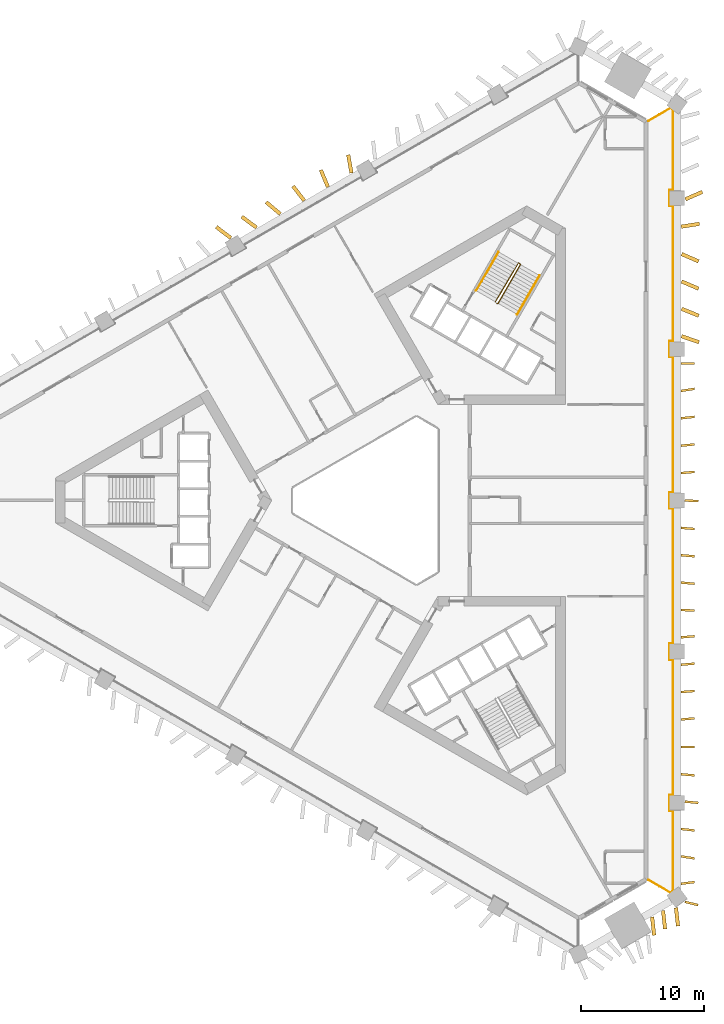
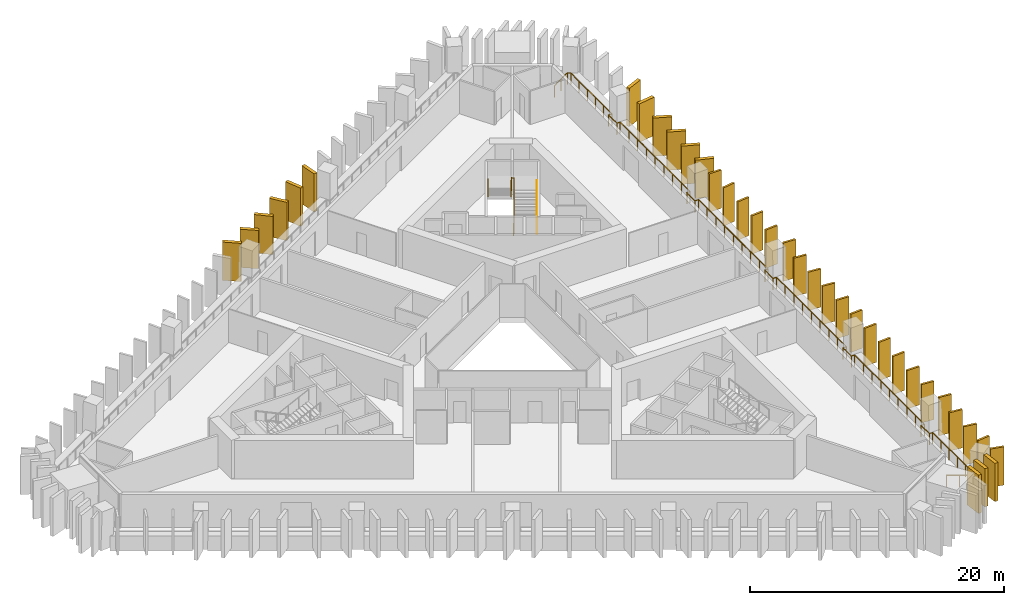
# One storey, part 9 of 10: 36 shading devices, 4 railings.
"""IFC4 building model written with IfcOpenShell, lengths in metres."""

import ifcopenshell
import ifcopenshell.guid

model = None  # the IFC model being written
_history = None  # IfcOwnerHistory: only IFC2X3 demands one
_inside = {}  # id of a spatial element -> (the spatial element, [elements in it])
_under = {}  # id of a project, library or spatial element -> (it, [spatial elements below it])
_declared = {}  # id of a project -> (the project, [libraries it declares])
_typed = {}  # id of a type object -> (the type object, [elements of that type])
_made_of = {}  # id of a material, layer set ... -> (it, [elements and type objects made of it])


def new_model(schema):
    """Start an empty IFC model of exactly this schema.

    Asked for "IFC4X3", IfcOpenShell would pick the latest addendum, in which some entities
    have other attributes; the version numbers below select the first issue.
    IFC2X3 requires an IfcOwnerHistory on every rooted entity: one is made here for all.
    """
    global model, _history
    if schema == "IFC4X3":
        model = ifcopenshell.file(schema_version=(4, 3, 0, 0))
    else:
        model = ifcopenshell.file(schema=schema)
    _inside.clear()
    _under.clear()
    _declared.clear()
    _typed.clear()
    _made_of.clear()
    _history = None
    if model.schema == "IFC2X3":
        org = make("IfcOrganization", Name="unknown")
        user = make(
            "IfcPersonAndOrganization",
            ThePerson=make("IfcPerson", FamilyName="unknown"),
            TheOrganization=org,
        )
        app = make(
            "IfcApplication",
            ApplicationDeveloper=org,
            Version="unknown",
            ApplicationFullName="unknown",
            ApplicationIdentifier="unknown",
        )
        _history = make(
            "IfcOwnerHistory",
            OwningUser=user,
            OwningApplication=app,
            ChangeAction="ADDED",
            CreationDate=0,
        )
    return model


def make(cls, **values):
    """One entity of the class cls with the attributes given. An attribute that is None is left unset."""
    return model.create_entity(
        cls, **{name: value for name, value in values.items() if value is not None}
    )


def rooted(cls, **values):
    """An entity with a GlobalId (a new one), such as an element, a storey or a relation."""
    return make(cls, GlobalId=ifcopenshell.guid.new(), OwnerHistory=_history, **values)


def si_unit(unit_type, name, prefix=None):
    """IfcSIUnit, for example si_unit("LENGTHUNIT", "METRE", prefix="MILLI")."""
    return make("IfcSIUnit", UnitType=unit_type, Prefix=prefix, Name=name)


def assignment(units):
    """IfcUnitAssignment: the units of a project."""
    return None if units is None else make("IfcUnitAssignment", Units=units)


def point(xyz):
    """IfcCartesianPoint."""
    return None if xyz is None else make("IfcCartesianPoint", Coordinates=xyz)


def direction(xyz):
    """IfcDirection."""
    return None if xyz is None else make("IfcDirection", DirectionRatios=xyz)


def frame(location, z_axis=None, x_axis=None):
    """IfcAxis2Placement3D, a coordinate frame: its origin and axes. An axis left out is left unset."""
    return make(
        "IfcAxis2Placement3D",
        Location=point(location),
        Axis=direction(z_axis),
        RefDirection=direction(x_axis),
    )


def frame_2d(location, x_axis=None):
    """IfcAxis2Placement2D, a coordinate frame in the plane: its origin and x axis."""
    return make(
        "IfcAxis2Placement2D", Location=point(location), RefDirection=direction(x_axis)
    )


def origin():
    """The frame at (0, 0, 0) with its axes left unset."""
    return frame((0.0, 0.0, 0.0))


def origin_2d():
    """The frame at (0, 0) in the plane with its x axis left unset."""
    return frame_2d((0.0, 0.0))


def place(relative_to, where):
    """IfcLocalPlacement: puts the frame where relative to a parent placement (None: the world)."""
    return make(
        "IfcLocalPlacement", PlacementRelTo=relative_to, RelativePlacement=where
    )


def context(
    kind, dimensions, precision=None, world=None, true_north=None, identifier=None
):
    """IfcGeometricRepresentationContext, for example the 3D "Model" context."""
    return make(
        "IfcGeometricRepresentationContext",
        ContextIdentifier=identifier,
        ContextType=kind,
        CoordinateSpaceDimension=dimensions,
        Precision=precision,
        WorldCoordinateSystem=world,
        TrueNorth=true_north,
    )


def subcontext(parent, identifier, kind, view, scale=None):
    """IfcGeometricRepresentationSubContext, for example "Body" below "Model"."""
    return make(
        "IfcGeometricRepresentationSubContext",
        ContextIdentifier=identifier,
        ContextType=kind,
        ParentContext=parent,
        TargetScale=scale,
        TargetView=view,
    )


def project(units=None, contexts=None):
    """IfcProject with its units and contexts."""
    return rooted(
        "IfcProject",
        Name="project",
        RepresentationContexts=contexts,
        UnitsInContext=assignment(units),
    )


def spatial(cls, under=None, at=None, **own):
    """A site, building, storey or space (cls), placed at a placement, below another one or the project."""
    s = rooted(cls, ObjectPlacement=at, **own)
    if under is not None:
        _under.setdefault(under.id(), (under, []))[1].append(s)
    return s


def profile(cls, at=None, kind="AREA", **sizes):
    """A parametric profile (cls). Its sizes go by their IFC names, for example OverallWidth=200.0."""
    return make(cls, ProfileType=kind, Position=at, **sizes)


def rectangle(**sizes):
    """IfcRectangleProfileDef."""
    return profile("IfcRectangleProfileDef", **sizes)


def circle(**sizes):
    """IfcCircleProfileDef."""
    return profile("IfcCircleProfileDef", **sizes)


def extrude(swept, where, along, depth):
    """IfcExtrudedAreaSolid: the profile swept, set in the frame where, extruded along a direction by depth."""
    return make(
        "IfcExtrudedAreaSolid",
        SweptArea=swept,
        Position=where,
        ExtrudedDirection=direction(along),
        Depth=depth,
    )


def shape(context_of_items, identifier, shape_type, items):
    """IfcShapeRepresentation: the items that make up one representation, for example the "Body"."""
    return make(
        "IfcShapeRepresentation",
        ContextOfItems=context_of_items,
        RepresentationIdentifier=identifier,
        RepresentationType=shape_type,
        Items=items,
    )


def material(Name=None, Category=None):
    """IfcMaterial."""
    return make("IfcMaterial", Name=Name, Category=Category)


def layer(
    of_material, thickness, ventilated=None, Name=None, Category=None, Priority=None
):
    """IfcMaterialLayer: one layer of a wall or slab, of a material (None: an air gap)."""
    return make(
        "IfcMaterialLayer",
        Material=of_material,
        LayerThickness=thickness,
        IsVentilated=ventilated,
        Name=Name,
        Category=Category,
        Priority=Priority,
    )


def layer_set(layers, Name=None):
    """IfcMaterialLayerSet."""
    return make("IfcMaterialLayerSet", MaterialLayers=layers, LayerSetName=Name)


def made_of(thing, what):
    """Note that an element or type object is made of a material, layer set ...; save() writes the relation."""
    if what is not None:
        _made_of.setdefault(what.id(), (what, []))[1].append(thing)
    return thing


def type_object(cls, material=None, **own):
    """A type object (cls), such as IfcWallType, which elements share."""
    return made_of(rooted(cls, **own), material)


def element(
    cls,
    number,
    at=None,
    inside=None,
    cuts=None,
    type_object=None,
    material=None,
    context=None,
    identifier="Body",
    shape_type=None,
    held_by="IfcProductDefinitionShape",
    body=None,
    shapes=None,
    **own,
):
    """One element of the class cls, such as IfcWall. Its Tag is "e" and its number.

    at: its placement. inside: the storey or other place that contains it. cuts: it is an
    opening in that element (IfcRelVoidsElement). A single representation is given by context,
    identifier, shape_type and body (its items); several are given by shapes. held_by: the class
    of the entity that holds the representations. save() writes the other relations.
    """
    e = rooted(cls, Tag="e%d" % number, ObjectPlacement=at, **own)
    if body is not None:
        shapes = [shape(context, identifier, shape_type, body)]
    if shapes is not None:
        e.Representation = make(held_by, Representations=shapes)
    if inside is not None:
        _inside.setdefault(inside.id(), (inside, []))[1].append(e)
    if cuts is not None:
        rooted(
            "IfcRelVoidsElement", RelatingBuildingElement=cuts, RelatedOpeningElement=e
        )
    if type_object is not None:
        _typed.setdefault(type_object.id(), (type_object, []))[1].append(e)
    return made_of(e, material)


def aggregate(whole, parts):
    """IfcRelAggregates: a whole, such as a stair, and the parts it consists of."""
    return rooted("IfcRelAggregates", RelatingObject=whole, RelatedObjects=parts)


def save(model, path):
    """Write the relations noted so far, then the file.

    IfcRelAggregates (storeys below a building ...), IfcRelContainedInSpatialStructure (elements
    in a storey), IfcRelDefinesByType, IfcRelAssociatesMaterial and IfcRelDeclares: one each for
    every whole, place, type object, material and project.
    """
    for whole, parts in _under.values():
        aggregate(whole, parts)
    for where, things in _inside.values():
        rooted(
            "IfcRelContainedInSpatialStructure",
            RelatedElements=things,
            RelatingStructure=where,
        )
    for kind, things in _typed.values():
        rooted("IfcRelDefinesByType", RelatedObjects=things, RelatingType=kind)
    for what, things in _made_of.values():
        rooted("IfcRelAssociatesMaterial", RelatedObjects=things, RelatingMaterial=what)
    for by, libraries in _declared.values():
        rooted("IfcRelDeclares", RelatingContext=by, RelatedDefinitions=libraries)
    model.write(path)


model = new_model("IFC4")

# Units and contexts
model_context = context("Model", 3, precision=1e-05, world=origin(), true_north=direction((0.0, 1.0)))
body_context = subcontext(model_context, "Body", "Model", "MODEL_VIEW")
ifc_project = project(units=[si_unit("LENGTHUNIT", "METRE"), si_unit("AREAUNIT", "SQUARE_METRE"), si_unit("VOLUMEUNIT", "CUBIC_METRE"), si_unit("PLANEANGLEUNIT", "RADIAN"), si_unit("MASSUNIT", "GRAM", prefix="KILO")], contexts=[model_context])

# Site, building, storey
site_placement = place(None, origin())
site = spatial("IfcSite", under=ifc_project, at=site_placement, CompositionType="ELEMENT")
building_placement = place(site_placement, origin())
building = spatial("IfcBuilding", under=site, at=building_placement, Name="Jabali Bay Hotel Tower and Convention Centre", CompositionType="ELEMENT")
storey_placement = place(building_placement, frame((0.0, 0.0, 33.699951171875)))
storey = spatial("IfcBuildingStorey", under=building, at=storey_placement, Name="L06", CompositionType="ELEMENT", Elevation=33.699951171875)

# Railing
ifc_material_1 = material(Name="Glass", Category="glass")
railing_type_1 = type_object("IfcRailingType", Name="Loggia glass guard 1100", PredefinedType="BALUSTRADE", material=ifc_material_1)
railing_1_placement = place(storey_placement, frame((96.625244140625, 110.862548828125, 0.0)))
element("IfcRailing", 1, at=railing_1_placement, inside=storey, type_object=railing_type_1, Name="Loggia glass guard L06", PredefinedType="BALUSTRADE", context=body_context, shape_type="SweptSolid", body=[
    extrude(circle(Radius=0.02490234375, at=origin_2d()), frame((0.0, 0.0, 1.0751953125), z_axis=(0.866005633567, 0.500034241458, 0.0), x_axis=(-0.495756379204, 0.858596835321, 0.13052619222)), (0.0, 0.0, 1.0), 2.055908203125),
    extrude(circle(Radius=0.02490234375, at=origin_2d()), frame((1.780517578125, 1.028076171875, 1.0751953125), z_axis=(0.802670572918, -0.596422628152, 0.0), x_axis=(0.591320149889, 0.795803614895, 0.13052619222)), (0.0, 0.0, 1.0), 0.2734375),
    extrude(circle(Radius=0.02490234375, at=origin_2d()), frame((2.0, 0.864990234375, 1.0751953125), z_axis=(0.0, -1.0, 0.0), x_axis=(0.991444861374, 0.0, 0.13052619222)), (0.0, 0.0, 1.0), 6.476318359375),
    extrude(circle(Radius=0.02490234375, at=origin_2d()), frame((2.0, -5.611328125, 1.0751953125), z_axis=(-1.0, 0.0, 0.0), x_axis=(0.0, -0.991444861374, 0.13052619222)), (0.0, 0.0, 1.0), 0.300048828125),
    extrude(circle(Radius=0.02490234375, at=origin_2d()), frame((1.699951171875, -5.611328125, 1.0751953125), z_axis=(0.0, -1.0, 0.0), x_axis=(0.991444861374, 0.0, 0.13052619222)), (0.0, 0.0, 1.0), 1.300048828125),
    extrude(circle(Radius=0.02490234375, at=origin_2d()), frame((1.699951171875, -6.911376953125, 1.0751953125), z_axis=(1.0, 0.0, 0.0), x_axis=(0.0, 0.991444861374, 0.13052619222)), (0.0, 0.0, 1.0), 0.300048828125),
    extrude(circle(Radius=0.02490234375, at=origin_2d()), frame((2.0, -6.911376953125, 1.0751953125), z_axis=(0.0, -1.0, 0.0), x_axis=(0.991444861374, 0.0, 0.13052619222)), (0.0, 0.0, 1.0), 11.00048828125),
    extrude(circle(Radius=0.02490234375, at=origin_2d()), frame((2.0, -17.911865234375, 1.0751953125), z_axis=(-1.0, 0.0, 0.0), x_axis=(0.0, -0.991444861374, 0.13052619222)), (0.0, 0.0, 1.0), 0.300048828125),
    extrude(circle(Radius=0.02490234375, at=origin_2d()), frame((1.699951171875, -17.911865234375, 1.0751953125), z_axis=(0.0, -1.0, 0.0), x_axis=(0.991444861374, 0.0, 0.13052619222)), (0.0, 0.0, 1.0), 1.300048828125),
    extrude(circle(Radius=0.02490234375, at=origin_2d()), frame((1.699951171875, -19.2119140625, 1.0751953125), z_axis=(1.0, 0.0, 0.0), x_axis=(0.0, 0.991444861374, 0.13052619222)), (0.0, 0.0, 1.0), 0.300048828125),
    extrude(circle(Radius=0.02490234375, at=origin_2d()), frame((2.0, -19.2119140625, 1.0751953125), z_axis=(0.0, -1.0, 0.0), x_axis=(0.991444861374, 0.0, 0.13052619222)), (0.0, 0.0, 1.0), 11.000732421875),
    extrude(circle(Radius=0.02490234375, at=origin_2d()), frame((2.0, -30.212646484375, 1.0751953125), z_axis=(-1.0, 0.0, 0.0), x_axis=(0.0, -0.991444861374, 0.13052619222)), (0.0, 0.0, 1.0), 0.300048828125),
    extrude(circle(Radius=0.02490234375, at=origin_2d()), frame((1.699951171875, -30.212646484375, 1.0751953125), z_axis=(0.0, -1.0, 0.0), x_axis=(0.991444861374, 0.0, 0.13052619222)), (0.0, 0.0, 1.0), 1.2998046875),
    extrude(circle(Radius=0.02490234375, at=origin_2d()), frame((1.699951171875, -31.512451171875, 1.0751953125), z_axis=(1.0, 0.0, 0.0), x_axis=(0.0, 0.991444861374, 0.13052619222)), (0.0, 0.0, 1.0), 0.300048828125),
    extrude(circle(Radius=0.02490234375, at=origin_2d()), frame((2.0, -31.512451171875, 1.0751953125), z_axis=(0.0, -1.0, 0.0), x_axis=(0.991444861374, 0.0, 0.13052619222)), (0.0, 0.0, 1.0), 11.000732421875),
    extrude(circle(Radius=0.02490234375, at=origin_2d()), frame((2.0, -42.51318359375, 1.0751953125), z_axis=(-1.0, 0.0, 0.0), x_axis=(0.0, -0.991444861374, 0.13052619222)), (0.0, 0.0, 1.0), 0.300048828125),
    extrude(circle(Radius=0.02490234375, at=origin_2d()), frame((1.699951171875, -42.51318359375, 1.0751953125), z_axis=(0.0, -1.0, 0.0), x_axis=(0.991444861374, 0.0, 0.13052619222)), (0.0, 0.0, 1.0), 1.300048828125),
    extrude(circle(Radius=0.02490234375, at=origin_2d()), frame((1.699951171875, -43.813232421875, 1.0751953125), z_axis=(1.0, 0.0, 0.0), x_axis=(0.0, 0.991444861374, 0.13052619222)), (0.0, 0.0, 1.0), 0.300048828125),
    extrude(circle(Radius=0.02490234375, at=origin_2d()), frame((2.0, -43.813232421875, 1.0751953125), z_axis=(0.0, -1.0, 0.0), x_axis=(0.991444861374, 0.0, 0.13052619222)), (0.0, 0.0, 1.0), 11.00048828125),
    extrude(circle(Radius=0.02490234375, at=origin_2d()), frame((2.0, -54.813720703125, 1.0751953125), z_axis=(-1.0, 0.0, 0.0), x_axis=(0.0, -0.991444861374, 0.13052619222)), (0.0, 0.0, 1.0), 0.300048828125),
    extrude(circle(Radius=0.02490234375, at=origin_2d()), frame((1.699951171875, -54.813720703125, 1.0751953125), z_axis=(0.0, -1.0, 0.0), x_axis=(0.991444861374, 0.0, 0.13052619222)), (0.0, 0.0, 1.0), 1.300048828125),
    extrude(circle(Radius=0.02490234375, at=origin_2d()), frame((1.699951171875, -56.11376953125, 1.0751953125), z_axis=(1.0, 0.0, 0.0), x_axis=(0.0, 0.991444861374, 0.13052619222)), (0.0, 0.0, 1.0), 0.300048828125),
    extrude(circle(Radius=0.02490234375, at=origin_2d()), frame((2.0, -56.11376953125, 1.0751953125), z_axis=(0.0, -1.0, 0.0), x_axis=(0.991444861374, 0.0, 0.13052619222)), (0.0, 0.0, 1.0), 6.476318359375),
    extrude(circle(Radius=0.02490234375, at=origin_2d()), frame((2.0, -62.590087890625, 1.0751953125), z_axis=(-0.802670572918, -0.596422628152, 0.0), x_axis=(0.591320149889, -0.795803614895, 0.13052619222)), (0.0, 0.0, 1.0), 0.2734375),
    extrude(circle(Radius=0.02490234375, at=origin_2d()), frame((1.780517578125, -62.753173828125, 1.0751953125), z_axis=(-0.866005633567, 0.500034241458, 0.0), x_axis=(-0.495756379204, -0.858596835321, 0.13052619222)), (0.0, 0.0, 1.0), 2.055908203125),
    extrude(circle(Radius=0.02001953125, at=origin_2d()), origin(), (0.0, 0.0, 1.0), 1.050048828125),
    extrude(circle(Radius=0.02001953125, at=origin_2d()), frame((0.89013671875, 0.51416015625, 0.0)), (0.0, 0.0, 1.0), 1.050048828125),
    extrude(circle(Radius=0.02001953125, at=origin_2d()), frame((1.780517578125, 1.028076171875, 0.0)), (0.0, 0.0, 1.0), 1.050048828125),
    extrude(circle(Radius=0.02001953125, at=origin_2d()), frame((2.0, 0.864990234375, 0.0)), (0.0, 0.0, 1.0), 1.050048828125),
    extrude(circle(Radius=0.02001953125, at=origin_2d()), frame((2.0, -0.43017578125, 0.0)), (0.0, 0.0, 1.0), 1.050048828125),
    extrude(circle(Radius=0.02001953125, at=origin_2d()), frame((2.0, -1.7255859375, 0.0)), (0.0, 0.0, 1.0), 1.050048828125),
    extrude(circle(Radius=0.02001953125, at=origin_2d()), frame((2.0, -3.020751953125, 0.0)), (0.0, 0.0, 1.0), 1.050048828125),
    extrude(circle(Radius=0.02001953125, at=origin_2d()), frame((2.0, -4.316162109375, 0.0)), (0.0, 0.0, 1.0), 1.050048828125),
    extrude(circle(Radius=0.02001953125, at=origin_2d()), frame((2.0, -5.611328125, 0.0)), (0.0, 0.0, 1.0), 1.050048828125),
    extrude(circle(Radius=0.02001953125, at=origin_2d()), frame((1.699951171875, -5.611328125, 0.0)), (0.0, 0.0, 1.0), 1.050048828125),
    extrude(circle(Radius=0.02001953125, at=origin_2d()), frame((1.699951171875, -6.911376953125, 0.0)), (0.0, 0.0, 1.0), 1.050048828125),
    extrude(circle(Radius=0.02001953125, at=origin_2d()), frame((2.0, -6.911376953125, 0.0)), (0.0, 0.0, 1.0), 1.050048828125),
    extrude(circle(Radius=0.02001953125, at=origin_2d()), frame((2.0, -8.286376953125, 0.0)), (0.0, 0.0, 1.0), 1.050048828125),
    extrude(circle(Radius=0.02001953125, at=origin_2d()), frame((2.0, -9.66162109375, 0.0)), (0.0, 0.0, 1.0), 1.050048828125),
    extrude(circle(Radius=0.02001953125, at=origin_2d()), frame((2.0, -11.03662109375, 0.0)), (0.0, 0.0, 1.0), 1.050048828125),
    extrude(circle(Radius=0.02001953125, at=origin_2d()), frame((2.0, -12.41162109375, 0.0)), (0.0, 0.0, 1.0), 1.050048828125),
    extrude(circle(Radius=0.02001953125, at=origin_2d()), frame((2.0, -13.78662109375, 0.0)), (0.0, 0.0, 1.0), 1.050048828125),
    extrude(circle(Radius=0.02001953125, at=origin_2d()), frame((2.0, -15.16162109375, 0.0)), (0.0, 0.0, 1.0), 1.050048828125),
    extrude(circle(Radius=0.02001953125, at=origin_2d()), frame((2.0, -16.536865234375, 0.0)), (0.0, 0.0, 1.0), 1.050048828125),
    extrude(circle(Radius=0.02001953125, at=origin_2d()), frame((2.0, -17.911865234375, 0.0)), (0.0, 0.0, 1.0), 1.050048828125),
    extrude(circle(Radius=0.02001953125, at=origin_2d()), frame((1.699951171875, -17.911865234375, 0.0)), (0.0, 0.0, 1.0), 1.050048828125),
    extrude(circle(Radius=0.02001953125, at=origin_2d()), frame((1.699951171875, -19.2119140625, 0.0)), (0.0, 0.0, 1.0), 1.050048828125),
    extrude(circle(Radius=0.02001953125, at=origin_2d()), frame((2.0, -19.2119140625, 0.0)), (0.0, 0.0, 1.0), 1.050048828125),
    extrude(circle(Radius=0.02001953125, at=origin_2d()), frame((2.0, -20.5869140625, 0.0)), (0.0, 0.0, 1.0), 1.050048828125),
    extrude(circle(Radius=0.02001953125, at=origin_2d()), frame((2.0, -21.962158203125, 0.0)), (0.0, 0.0, 1.0), 1.050048828125),
    extrude(circle(Radius=0.02001953125, at=origin_2d()), frame((2.0, -23.337158203125, 0.0)), (0.0, 0.0, 1.0), 1.050048828125),
    extrude(circle(Radius=0.02001953125, at=origin_2d()), frame((2.0, -24.71240234375, 0.0)), (0.0, 0.0, 1.0), 1.050048828125),
    extrude(circle(Radius=0.02001953125, at=origin_2d()), frame((2.0, -26.08740234375, 0.0)), (0.0, 0.0, 1.0), 1.050048828125),
    extrude(circle(Radius=0.02001953125, at=origin_2d()), frame((2.0, -27.46240234375, 0.0)), (0.0, 0.0, 1.0), 1.050048828125),
    extrude(circle(Radius=0.02001953125, at=origin_2d()), frame((2.0, -28.837646484375, 0.0)), (0.0, 0.0, 1.0), 1.050048828125),
    extrude(circle(Radius=0.02001953125, at=origin_2d()), frame((2.0, -30.212646484375, 0.0)), (0.0, 0.0, 1.0), 1.050048828125),
    extrude(circle(Radius=0.02001953125, at=origin_2d()), frame((1.699951171875, -30.212646484375, 0.0)), (0.0, 0.0, 1.0), 1.050048828125),
    extrude(circle(Radius=0.02001953125, at=origin_2d()), frame((1.699951171875, -31.512451171875, 0.0)), (0.0, 0.0, 1.0), 1.050048828125),
    extrude(circle(Radius=0.02001953125, at=origin_2d()), frame((2.0, -31.512451171875, 0.0)), (0.0, 0.0, 1.0), 1.050048828125),
    extrude(circle(Radius=0.02001953125, at=origin_2d()), frame((2.0, -32.887451171875, 0.0)), (0.0, 0.0, 1.0), 1.050048828125),
    extrude(circle(Radius=0.02001953125, at=origin_2d()), frame((2.0, -34.2626953125, 0.0)), (0.0, 0.0, 1.0), 1.050048828125),
    extrude(circle(Radius=0.02001953125, at=origin_2d()), frame((2.0, -35.6376953125, 0.0)), (0.0, 0.0, 1.0), 1.050048828125),
    extrude(circle(Radius=0.02001953125, at=origin_2d()), frame((2.0, -37.0126953125, 0.0)), (0.0, 0.0, 1.0), 1.050048828125),
    extrude(circle(Radius=0.02001953125, at=origin_2d()), frame((2.0, -38.387939453125, 0.0)), (0.0, 0.0, 1.0), 1.050048828125),
    extrude(circle(Radius=0.02001953125, at=origin_2d()), frame((2.0, -39.762939453125, 0.0)), (0.0, 0.0, 1.0), 1.050048828125),
    extrude(circle(Radius=0.02001953125, at=origin_2d()), frame((2.0, -41.13818359375, 0.0)), (0.0, 0.0, 1.0), 1.050048828125),
    extrude(circle(Radius=0.02001953125, at=origin_2d()), frame((2.0, -42.51318359375, 0.0)), (0.0, 0.0, 1.0), 1.050048828125),
    extrude(circle(Radius=0.02001953125, at=origin_2d()), frame((1.699951171875, -42.51318359375, 0.0)), (0.0, 0.0, 1.0), 1.050048828125),
    extrude(circle(Radius=0.02001953125, at=origin_2d()), frame((1.699951171875, -43.813232421875, 0.0)), (0.0, 0.0, 1.0), 1.050048828125),
    extrude(circle(Radius=0.02001953125, at=origin_2d()), frame((2.0, -43.813232421875, 0.0)), (0.0, 0.0, 1.0), 1.050048828125),
    extrude(circle(Radius=0.02001953125, at=origin_2d()), frame((2.0, -45.188232421875, 0.0)), (0.0, 0.0, 1.0), 1.050048828125),
    extrude(circle(Radius=0.02001953125, at=origin_2d()), frame((2.0, -46.5634765625, 0.0)), (0.0, 0.0, 1.0), 1.050048828125),
    extrude(circle(Radius=0.02001953125, at=origin_2d()), frame((2.0, -47.9384765625, 0.0)), (0.0, 0.0, 1.0), 1.050048828125),
    extrude(circle(Radius=0.02001953125, at=origin_2d()), frame((2.0, -49.3134765625, 0.0)), (0.0, 0.0, 1.0), 1.050048828125),
    extrude(circle(Radius=0.02001953125, at=origin_2d()), frame((2.0, -50.6884765625, 0.0)), (0.0, 0.0, 1.0), 1.050048828125),
    extrude(circle(Radius=0.02001953125, at=origin_2d()), frame((2.0, -52.0634765625, 0.0)), (0.0, 0.0, 1.0), 1.050048828125),
    extrude(circle(Radius=0.02001953125, at=origin_2d()), frame((2.0, -53.438720703125, 0.0)), (0.0, 0.0, 1.0), 1.050048828125),
    extrude(circle(Radius=0.02001953125, at=origin_2d()), frame((2.0, -54.813720703125, 0.0)), (0.0, 0.0, 1.0), 1.050048828125),
    extrude(circle(Radius=0.02001953125, at=origin_2d()), frame((1.699951171875, -54.813720703125, 0.0)), (0.0, 0.0, 1.0), 1.050048828125),
    extrude(circle(Radius=0.02001953125, at=origin_2d()), frame((1.699951171875, -56.11376953125, 0.0)), (0.0, 0.0, 1.0), 1.050048828125),
    extrude(circle(Radius=0.02001953125, at=origin_2d()), frame((2.0, -56.11376953125, 0.0)), (0.0, 0.0, 1.0), 1.050048828125),
    extrude(circle(Radius=0.02001953125, at=origin_2d()), frame((2.0, -57.408935546875, 0.0)), (0.0, 0.0, 1.0), 1.050048828125),
    extrude(circle(Radius=0.02001953125, at=origin_2d()), frame((2.0, -58.704345703125, 0.0)), (0.0, 0.0, 1.0), 1.050048828125),
    extrude(circle(Radius=0.02001953125, at=origin_2d()), frame((2.0, -59.99951171875, 0.0)), (0.0, 0.0, 1.0), 1.050048828125),
    extrude(circle(Radius=0.02001953125, at=origin_2d()), frame((2.0, -61.294921875, 0.0)), (0.0, 0.0, 1.0), 1.050048828125),
    extrude(circle(Radius=0.02001953125, at=origin_2d()), frame((2.0, -62.590087890625, 0.0)), (0.0, 0.0, 1.0), 1.050048828125),
    extrude(circle(Radius=0.02001953125, at=origin_2d()), frame((1.780517578125, -62.753173828125, 0.0)), (0.0, 0.0, 1.0), 1.050048828125),
    extrude(circle(Radius=0.02001953125, at=origin_2d()), frame((0.89013671875, -62.2392578125, 0.0)), (0.0, 0.0, 1.0), 1.050048828125),
    extrude(circle(Radius=0.02001953125, at=origin_2d()), frame((0.0, -61.72509765625, 0.0)), (0.0, 0.0, 1.0), 1.050048828125),
])

# Shading devices
ifc_material_2 = material(Name="Precast concrete C60", Category="concrete")
ifc_layer_1 = layer(ifc_material_2, 0.179931640625)
ifc_layer_set_1 = layer_set([ifc_layer_1], Name="Precast concrete C60")
shading_device_type_1 = type_object("IfcShadingDeviceType", Name="Precast fin 3680 x 1100", PredefinedType="USERDEFINED", material=ifc_layer_set_1)
shading_device_1_placement = place(storey_placement, frame((99.279052734375, 48.8359375, 0.010009765625), z_axis=(0.0, 0.0, 1.0), x_axis=(0.992106207708, 0.125400449073, 0.0)))
element("IfcShadingDevice", 2, at=shading_device_1_placement, inside=storey, type_object=shading_device_type_1, Name="Fin L06 000", ObjectType="FIN", PredefinedType="USERDEFINED", context=body_context, shape_type="SweptSolid", body=[
    extrude(rectangle(XDim=1.10009765625, YDim=0.179931640625, at=frame_2d((0.550048828125, 0.0))), origin(), (0.0, 0.0, 1.0), 3.679931640625),
])
for number, where, z_axis, x_axis, name in (
    (3, (99.28125, 51.061767578125, 0.010009765625), (0.0, 0.0, 1.0), (0.988611659666, -0.150489156994, 0.0), "Fin L06 001"),
    (4, (99.277587890625, 53.287841796875, 0.010009765625), (0.0, 0.0, 1.0), (0.993921571182, -0.110090464338, 0.0), "Fin L06 002"),
):
    element("IfcShadingDevice", number, at=place(storey_placement, frame(where, z_axis=z_axis, x_axis=x_axis)), inside=storey, type_object=shading_device_type_1, Name=name, ObjectType="FIN", PredefinedType="USERDEFINED", context=body_context, shape_type="SweptSolid", body=[
        extrude(rectangle(XDim=1.099853515625, YDim=0.179931640625, at=frame_2d((0.5498046875, 0.0))), origin(), (0.0, 0.0, 1.0), 3.679931640625),
    ])
shading_device_2_placement = place(storey_placement, frame((99.58349609375, 55.513916015625, 0.010009765625), z_axis=(0.0, 0.0, 1.0), x_axis=(0.995604527084, -0.093656957296, 0.0)))
element("IfcShadingDevice", 5, at=shading_device_2_placement, inside=storey, type_object=shading_device_type_1, Name="Fin L06 003", ObjectType="FIN", PredefinedType="USERDEFINED", context=body_context, shape_type="SweptSolid", body=[
    extrude(rectangle(XDim=1.10009765625, YDim=0.179931640625, at=frame_2d((0.550048828125, 0.0))), origin(), (0.0, 0.0, 1.0), 3.679931640625),
])
shading_device_3_placement = place(storey_placement, frame((99.275634765625, 57.739990234375, 0.010009765625), z_axis=(0.0, 0.0, 1.0), x_axis=(0.996168619919, -0.087453305759, 0.0)))
element("IfcShadingDevice", 6, at=shading_device_3_placement, inside=storey, type_object=shading_device_type_1, Name="Fin L06 004", ObjectType="FIN", PredefinedType="USERDEFINED", context=body_context, shape_type="SweptSolid", body=[
    extrude(rectangle(XDim=1.099853515625, YDim=0.179931640625, at=frame_2d((0.5498046875, 0.0))), origin(), (0.0, 0.0, 1.0), 3.679931640625),
])
for number, where, z_axis, x_axis, name in (
    (7, (99.26806640625, 59.9658203125, 0.010009765625), (0.0, 0.0, 1.0), (0.999993695894, -0.003550798743, 0.0), "Fin L06 005"),
    (8, (99.275146484375, 62.19189453125, 0.010009765625), (0.0, 0.0, 1.0), (0.996474994067, 0.08389032244, 0.0), "Fin L06 006"),
    (9, (99.275146484375, 64.41796875, 0.010009765625), (0.0, 0.0, 1.0), (0.996512002617, 0.083449557457, 0.0), "Fin L06 007"),
    (10, (99.275146484375, 66.64404296875, 0.010009765625), (0.0, 0.0, 1.0), (0.996548818927, 0.083008743492, 0.0), "Fin L06 008"),
    (11, (99.275146484375, 68.869873046875, 0.010009765625), (0.0, 0.0, 1.0), (0.996530434806, 0.083229156582, 0.0), "Fin L06 009"),
):
    element("IfcShadingDevice", number, at=place(storey_placement, frame(where, z_axis=z_axis, x_axis=x_axis)), inside=storey, type_object=shading_device_type_1, Name=name, ObjectType="FIN", PredefinedType="USERDEFINED", context=body_context, shape_type="SweptSolid", body=[
        extrude(rectangle(XDim=1.10009765625, YDim=0.179931640625, at=frame_2d((0.550048828125, 0.0))), origin(), (0.0, 0.0, 1.0), 3.679931640625),
    ])
shading_device_4_placement = place(storey_placement, frame((99.271728515625, 71.095947265625, 0.010009765625), z_axis=(0.0, 0.0, 1.0), x_axis=(0.999043552771, -0.043726189712, 0.0)))
element("IfcShadingDevice", 12, at=shading_device_4_placement, inside=storey, type_object=shading_device_type_1, Name="Fin L06 010", ObjectType="FIN", PredefinedType="USERDEFINED", context=body_context, shape_type="SweptSolid", body=[
    extrude(rectangle(XDim=1.099853515625, YDim=0.179931640625, at=frame_2d((0.5498046875, 0.0))), origin(), (0.0, 0.0, 1.0), 3.679931640625),
])
for number, where, z_axis, x_axis, name in (
    (13, (99.275146484375, 73.322021484375, 0.010009765625), (0.0, 0.0, 1.0), (0.996530434806, -0.083229156582, 0.0), "Fin L06 011"),
    (14, (99.275146484375, 75.548095703125, 0.010009765625), (0.0, 0.0, 1.0), (0.996512002617, -0.083449557457, 0.0), "Fin L06 012"),
):
    element("IfcShadingDevice", number, at=place(storey_placement, frame(where, z_axis=z_axis, x_axis=x_axis)), inside=storey, type_object=shading_device_type_1, Name=name, ObjectType="FIN", PredefinedType="USERDEFINED", context=body_context, shape_type="SweptSolid", body=[
        extrude(rectangle(XDim=1.10009765625, YDim=0.179931640625, at=frame_2d((0.550048828125, 0.0))), origin(), (0.0, 0.0, 1.0), 3.679931640625),
    ])
shading_device_5_placement = place(storey_placement, frame((99.275390625, 77.77392578125, 0.010009765625), z_axis=(0.0, 0.0, 1.0), x_axis=(0.996473431683, -0.083908878854, 0.0)))
element("IfcShadingDevice", 15, at=shading_device_5_placement, inside=storey, type_object=shading_device_type_1, Name="Fin L06 013", ObjectType="FIN", PredefinedType="USERDEFINED", context=body_context, shape_type="SweptSolid", body=[
    extrude(rectangle(XDim=1.099853515625, YDim=0.179931640625, at=frame_2d((0.5498046875, 0.0))), origin(), (0.0, 0.0, 1.0), 3.679931640625),
])
shading_device_6_placement = place(storey_placement, frame((99.57958984375, 80.0, 0.010009765625), z_axis=(0.0, 0.0, 1.0), x_axis=(0.99877438036, -0.049494819293, 0.0)))
element("IfcShadingDevice", 16, at=shading_device_6_placement, inside=storey, type_object=shading_device_type_1, Name="Fin L06 014", ObjectType="FIN", PredefinedType="USERDEFINED", context=body_context, shape_type="SweptSolid", body=[
    extrude(rectangle(XDim=1.10009765625, YDim=0.179931640625, at=frame_2d((0.550048828125, 0.0))), origin(), (0.0, 0.0, 1.0), 3.679931640625),
])
shading_device_7_placement = place(storey_placement, frame((99.275634765625, 82.22607421875, 0.010009765625), z_axis=(0.0, 0.0, 1.0), x_axis=(0.996149258944, 0.087673564457, 0.0)))
element("IfcShadingDevice", 17, at=shading_device_7_placement, inside=storey, type_object=shading_device_type_1, Name="Fin L06 015", ObjectType="FIN", PredefinedType="USERDEFINED", context=body_context, shape_type="SweptSolid", body=[
    extrude(rectangle(XDim=1.099853515625, YDim=0.179931640625, at=frame_2d((0.5498046875, 0.0))), origin(), (0.0, 0.0, 1.0), 3.679931640625),
])
for number, where, z_axis, x_axis, name in (
    (18, (99.276123046875, 84.451904296875, 0.010009765625), (0.0, 0.0, 1.0), (0.99550045802, 0.094756731069, 0.0), "Fin L06 016"),
    (19, (99.27783203125, 86.677978515625, 0.010009765625), (0.0, 0.0, 1.0), (0.99357409499, 0.113183557839, 0.0), "Fin L06 017"),
    (20, (99.281982421875, 88.904052734375, 0.010009765625), (0.0, 0.0, 1.0), (0.987435091331, 0.158025125877, 0.0), "Fin L06 018"),
    (21, (99.2685546875, 91.130126953125, 0.010009765625), (0.0, 0.0, 1.0), (0.999950136797, 0.009986186453, 0.0), "Fin L06 019"),
):
    element("IfcShadingDevice", number, at=place(storey_placement, frame(where, z_axis=z_axis, x_axis=x_axis)), inside=storey, type_object=shading_device_type_1, Name=name, ObjectType="FIN", PredefinedType="USERDEFINED", context=body_context, shape_type="SweptSolid", body=[
        extrude(rectangle(XDim=1.10009765625, YDim=0.179931640625, at=frame_2d((0.550048828125, 0.0))), origin(), (0.0, 0.0, 1.0), 3.679931640625),
    ])
shading_device_8_placement = place(storey_placement, frame((99.59521484375, 47.364990234375, 0.010009765625), z_axis=(0.0, 0.0, 1.0), x_axis=(0.970843443513, -0.239714430497, 0.0)))
element("IfcShadingDevice", 22, at=shading_device_8_placement, inside=storey, type_object=shading_device_type_1, Name="Fin L06 114", ObjectType="FIN", PredefinedType="USERDEFINED", context=body_context, shape_type="SweptSolid", body=[
    extrude(rectangle(XDim=1.099853515625, YDim=0.179931640625, at=frame_2d((0.5498046875, 0.0))), origin(), (0.0, 0.0, 1.0), 3.679931640625),
])
ifc_layer_2 = layer(ifc_material_2, 0.300048828125)
ifc_layer_set_2 = layer_set([ifc_layer_2], Name="Precast concrete C60")
shading_device_type_2 = type_object("IfcShadingDeviceType", Name="Precast fin 3680 x 1500", PredefinedType="USERDEFINED", material=ifc_layer_set_2)
shading_device_9_placement = place(storey_placement, frame((99.31689453125, 93.35595703125, 0.010009765625), z_axis=(0.0, 0.0, 1.0), x_axis=(0.944856345488, -0.327485093389, 0.0)))
element("IfcShadingDevice", 23, at=shading_device_9_placement, inside=storey, type_object=shading_device_type_2, Name="Fin L06 020", ObjectType="FIN", PredefinedType="USERDEFINED", context=body_context, shape_type="SweptSolid", body=[
    extrude(rectangle(XDim=1.5, YDim=0.300048828125, at=frame_2d((0.75, 0.0))), origin(), (0.0, 0.0, 1.0), 3.679931640625),
])
for number, where, z_axis, x_axis, name in (
    (24, (99.32421875, 95.58203125, 0.010009765625), (0.0, 0.0, 1.0), (0.926544604349, -0.376184922813, 0.0), "Fin L06 021"),
    (25, (99.326904296875, 97.80810546875, 0.010009765625), (0.0, 0.0, 1.0), (0.919069235013, -0.394096106618, 0.0), "Fin L06 022"),
):
    element("IfcShadingDevice", number, at=place(storey_placement, frame(where, z_axis=z_axis, x_axis=x_axis)), inside=storey, type_object=shading_device_type_2, Name=name, ObjectType="FIN", PredefinedType="USERDEFINED", context=body_context, shape_type="SweptSolid", body=[
        extrude(rectangle(XDim=1.499755859375, YDim=0.300048828125, at=frame_2d((0.75, 0.0))), origin(), (0.0, 0.0, 1.0), 3.679931640625),
    ])
for number, where, z_axis, x_axis, name in (
    (26, (99.32763671875, 100.0341796875, 0.010009765625), (0.0, 0.0, 1.0), (0.916694435966, -0.39958892761, 0.0), "Fin L06 023"),
    (27, (99.291015625, 102.260009765625, 0.010009765625), (0.0, 0.0, 1.0), (0.987794617311, 0.155761978706, 0.0), "Fin L06 024"),
):
    element("IfcShadingDevice", number, at=place(storey_placement, frame(where, z_axis=z_axis, x_axis=x_axis)), inside=storey, type_object=shading_device_type_2, Name=name, ObjectType="FIN", PredefinedType="USERDEFINED", context=body_context, shape_type="SweptSolid", body=[
        extrude(rectangle(XDim=1.5, YDim=0.300048828125, at=frame_2d((0.75, 0.0))), origin(), (0.0, 0.0, 1.0), 3.679931640625),
    ])
for number, where, z_axis, x_axis, name in (
    (28, (99.635498046875, 104.486083984375, 0.010009765625), (0.0, 0.0, 1.0), (0.915820770916, 0.401587245263, 0.0), "Fin L06 025"),
    (29, (72.4794921875, 106.625732421875, 0.010009765625), (0.0, 0.0, 1.0), (-0.175632892553, 0.984455731383, 0.0), "Fin L06 047"),
):
    element("IfcShadingDevice", number, at=place(storey_placement, frame(where, z_axis=z_axis, x_axis=x_axis)), inside=storey, type_object=shading_device_type_2, Name=name, ObjectType="FIN", PredefinedType="USERDEFINED", context=body_context, shape_type="SweptSolid", body=[
        extrude(rectangle(XDim=1.499755859375, YDim=0.300048828125, at=frame_2d((0.75, 0.0))), origin(), (0.0, 0.0, 1.0), 3.679931640625),
    ])
for number, where, z_axis, x_axis, name in (
    (30, (70.567626953125, 105.485107421875, 0.010009765625), (0.0, 0.0, 1.0), (-0.385435817052, 0.92273464817, 0.0), "Fin L06 048"),
    (31, (68.6396484375, 104.372314453125, 0.010009765625), (0.0, 0.0, 1.0), (-0.608120530727, 0.793844707804, 0.0), "Fin L06 049"),
    (32, (66.6962890625, 103.28662109375, 0.010009765625), (0.0, 0.0, 1.0), (-0.76498294597, 0.644050535575, 0.0), "Fin L06 050"),
    (33, (64.76416015625, 102.18115234375, 0.010009765625), (0.0, 0.0, 1.0), (-0.803075415536, 0.595877400948, 0.0), "Fin L06 051"),
    (34, (62.683349609375, 101.3330078125, 0.010009765625), (0.0, 0.0, 1.0), (-0.796234325613, 0.604988345933, 0.0), "Fin L06 052"),
    (35, (96.923828125, 46.1376953125, 0.010009765625), (0.0, 0.0, 1.0), (0.10985987917, -0.993947084582, 0.0), "Fin L06 111"),
    (36, (97.813720703125, 46.651611328125, 0.010009765625), (0.0, 0.0, 1.0), (0.110020665906, -0.993929299837, 0.0), "Fin L06 112"),
):
    element("IfcShadingDevice", number, at=place(storey_placement, frame(where, z_axis=z_axis, x_axis=x_axis)), inside=storey, type_object=shading_device_type_2, Name=name, ObjectType="FIN", PredefinedType="USERDEFINED", context=body_context, shape_type="SweptSolid", body=[
        extrude(rectangle(XDim=1.5, YDim=0.300048828125, at=frame_2d((0.75, 0.0))), origin(), (0.0, 0.0, 1.0), 3.679931640625),
    ])
shading_device_10_placement = place(storey_placement, frame((98.865478515625, 46.88525390625, 0.010009765625), z_axis=(0.0, 0.0, 1.0), x_axis=(0.1100384662, -0.993927329314, 0.0)))
element("IfcShadingDevice", 37, at=shading_device_10_placement, inside=storey, type_object=shading_device_type_2, Name="Fin L06 113", ObjectType="FIN", PredefinedType="USERDEFINED", context=body_context, shape_type="SweptSolid", body=[
    extrude(rectangle(XDim=1.499755859375, YDim=0.300048828125, at=frame_2d((0.75, 0.0))), origin(), (0.0, 0.0, 1.0), 3.679931640625),
])

# Railings
ifc_material_3 = material(Name="Steel Q355B", Category="steel")
railing_type_2 = type_object("IfcRailingType", Name="Stair guard 1100", PredefinedType="GUARDRAIL", material=ifc_material_3)
railing_2_placement = place(storey_placement, frame((84.329833984375, 96.010009765625, 0.0)))
element("IfcRailing", 38, at=railing_2_placement, inside=storey, type_object=railing_type_2, Name="L06 ST2 stair guard 1", PredefinedType="GUARDRAIL", context=body_context, shape_type="SweptSolid", body=[
    extrude(circle(Radius=0.02392578125, at=origin_2d()), frame((0.0, 0.0, 1.076171875), z_axis=(0.456201556387, 0.122196845461, 0.881446578591), x_axis=(-0.258736085224, 0.965948051503, 0.0)), (0.0, 0.0, 1.0), 0.14990234375),
    extrude(circle(Radius=0.02392578125, at=origin_2d()), frame((0.068359375, 0.018310546875, 1.2080078125), z_axis=(0.45217862506, 0.783169739339, 0.426825081763), x_axis=(-0.866018046521, 0.500012742938, 0.0)), (0.0, 0.0, 1.0), 4.025146484375),
    extrude(circle(Radius=0.02392578125, at=origin_2d()), frame((1.888427734375, 3.170654296875, 2.92626953125), z_axis=(-0.718850276695, 0.695164929852, 0.0), x_axis=(-0.695164929852, -0.718850276695, 0.0)), (0.0, 0.0, 1.0), 0.2060546875),
    extrude(circle(Radius=0.02392578125, at=origin_2d()), frame((1.740234375, 3.31396484375, 2.92626953125), z_axis=(-0.457457462341, -0.768067235091, 0.448113147015), x_axis=(0.859157857954, -0.511710636118, 0.0)), (0.0, 0.0, 1.0), 4.128173828125),
    extrude(circle(Radius=0.02099609375, at=origin_2d()), origin(), (0.0, 0.0, 1.0), 1.052001953125),
    extrude(circle(Radius=0.02099609375, at=origin_2d()), frame((0.068359375, 0.018310546875, 0.132080078125)), (0.0, 0.0, 1.0), 1.052001953125),
    extrude(circle(Radius=0.02099609375, at=origin_2d()), frame((0.5234375, 0.806396484375, 0.5615234375)), (0.0, 0.0, 1.0), 1.052001953125),
    extrude(circle(Radius=0.02099609375, at=origin_2d()), frame((0.978515625, 1.594482421875, 0.9912109375)), (0.0, 0.0, 1.0), 1.052001953125),
    extrude(circle(Radius=0.02099609375, at=origin_2d()), frame((1.433349609375, 2.382568359375, 1.420654296875)), (0.0, 0.0, 1.0), 1.052001953125),
    extrude(circle(Radius=0.02099609375, at=origin_2d()), frame((1.888427734375, 3.170654296875, 1.85009765625)), (0.0, 0.0, 1.0), 1.052001953125),
    extrude(circle(Radius=0.02099609375, at=origin_2d()), frame((1.740234375, 3.31396484375, 1.85009765625)), (0.0, 0.0, 1.0), 1.052001953125),
    extrude(circle(Radius=0.02099609375, at=origin_2d()), frame((1.26806640625, 2.521240234375, 2.3125)), (0.0, 0.0, 1.0), 1.052001953125),
    extrude(circle(Radius=0.02099609375, at=origin_2d()), frame((0.7958984375, 1.728515625, 2.77490234375)), (0.0, 0.0, 1.0), 1.052001953125),
    extrude(circle(Radius=0.02099609375, at=origin_2d()), frame((0.323974609375, 0.93603515625, 3.237548828125)), (0.0, 0.0, 1.0), 1.052001953125),
    extrude(circle(Radius=0.02099609375, at=origin_2d()), frame((-0.148193359375, 0.143310546875, 3.699951171875)), (0.0, 0.0, 1.0), 1.052001953125),
])
railing_type_3 = type_object("IfcRailingType", Name="Stair handrail 900", PredefinedType="HANDRAIL", material=ifc_material_3)
railing_3_placement = place(storey_placement, frame((85.95703125, 95.128173828125, 0.132080078125)))
element("IfcRailing", 39, at=railing_3_placement, inside=storey, type_object=railing_type_3, Name="L06 ST2 stair handrail 1", PredefinedType="HANDRAIL", context=body_context, shape_type="SweptSolid", body=[
    extrude(circle(Radius=0.02392578125, at=origin_2d()), frame((0.0, 0.0, 0.8759765625), z_axis=(0.45217862506, 0.783169739339, 0.426825081763), x_axis=(-0.866018046521, 0.500012742938, 0.0)), (0.0, 0.0, 1.0), 4.025146484375),
    extrude(circle(Radius=0.02099609375, at=origin_2d()), origin(), (0.0, 0.0, 1.0), 0.851806640625),
    extrude(circle(Radius=0.02099609375, at=origin_2d()), frame((0.455078125, 0.7880859375, 0.429443359375)), (0.0, 0.0, 1.0), 0.851806640625),
    extrude(circle(Radius=0.02099609375, at=origin_2d()), frame((0.91015625, 1.576171875, 0.85888671875)), (0.0, 0.0, 1.0), 0.851806640625),
    extrude(circle(Radius=0.02099609375, at=origin_2d()), frame((1.364990234375, 2.3642578125, 1.28857421875)), (0.0, 0.0, 1.0), 0.851806640625),
    extrude(circle(Radius=0.02099609375, at=origin_2d()), frame((1.820068359375, 3.15234375, 1.718017578125)), (0.0, 0.0, 1.0), 0.851806640625),
])
railing_4_placement = place(storey_placement, frame((84.44287109375, 100.20556640625, 1.982177734375)))
element("IfcRailing", 40, at=railing_4_placement, inside=storey, type_object=railing_type_3, Name="L06 ST2 stair handrail 2", PredefinedType="HANDRAIL", context=body_context, shape_type="SweptSolid", body=[
    extrude(circle(Radius=0.02392578125, at=origin_2d()), frame((0.0, 0.0, 0.8759765625), z_axis=(-0.452190331055, -0.783190014029, 0.426775475427), x_axis=(0.866018046521, -0.500012742938, 0.0)), (0.0, 0.0, 1.0), 4.02490234375),
    extrude(circle(Radius=0.02099609375, at=origin_2d()), origin(), (0.0, 0.0, 1.0), 0.851806640625),
    extrude(circle(Radius=0.02099609375, at=origin_2d()), frame((-0.455078125, -0.7880859375, 0.429443359375)), (0.0, 0.0, 1.0), 0.851806640625),
    extrude(circle(Radius=0.02099609375, at=origin_2d()), frame((-0.91015625, -1.576171875, 0.85888671875)), (0.0, 0.0, 1.0), 0.851806640625),
    extrude(circle(Radius=0.02099609375, at=origin_2d()), frame((-1.364990234375, -2.3642578125, 1.288330078125)), (0.0, 0.0, 1.0), 0.851806640625),
    extrude(circle(Radius=0.02099609375, at=origin_2d()), frame((-1.820068359375, -3.15234375, 1.7177734375)), (0.0, 0.0, 1.0), 0.851806640625),
])

save(model, "model.ifc")
